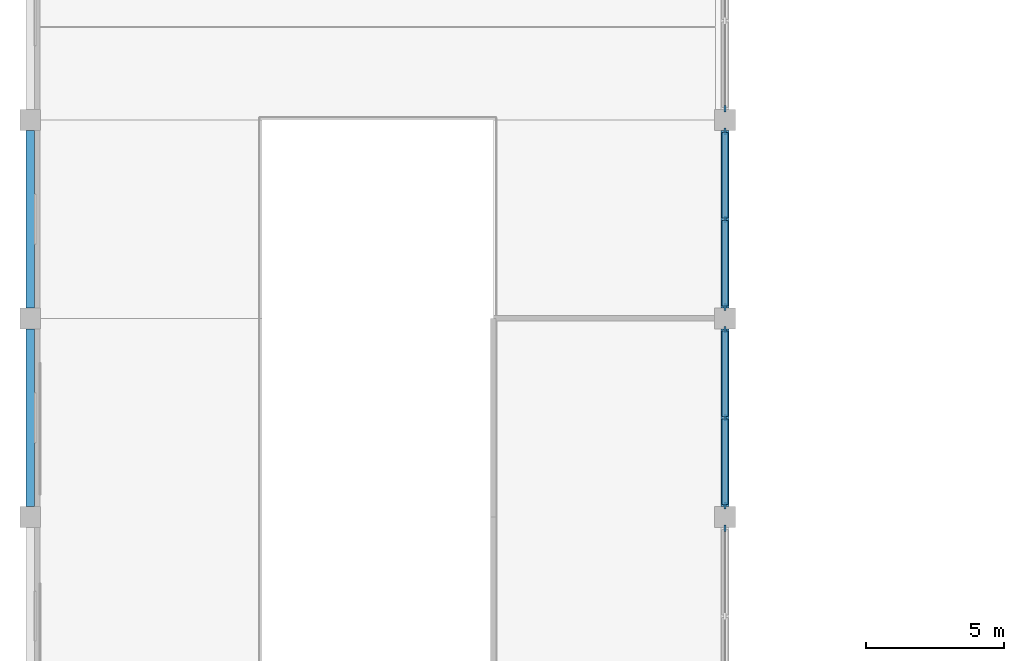
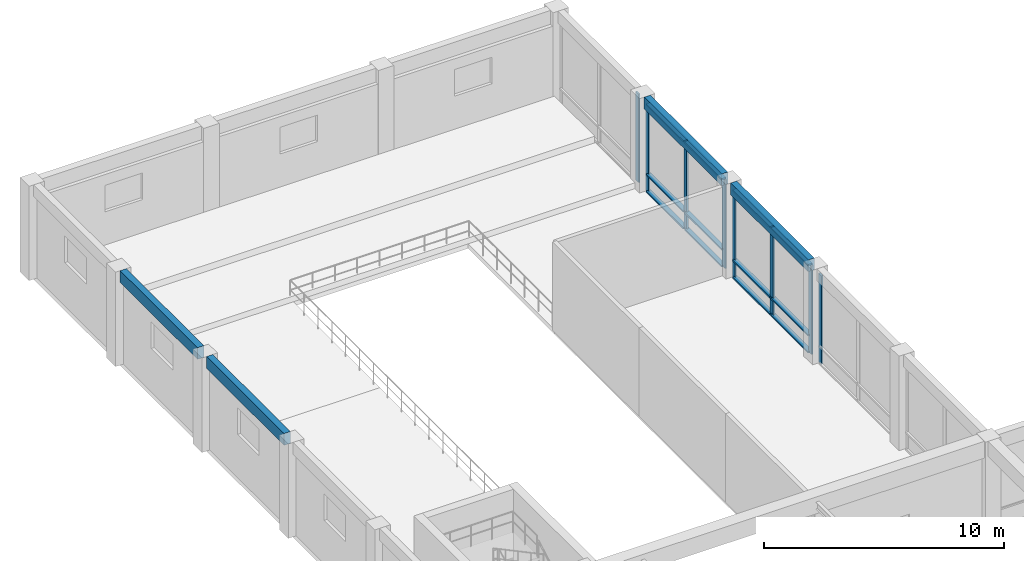
# One storey, part 8 of 52: 20 members, 4 beams, 4 elements without a shape of their own.
"""IFC4 building model written with IfcOpenShell, lengths in metres."""

from ifc_helpers import new_model, si_unit, direction, frame, origin, origin_2d, place, context, subcontext, project, spatial, rectangle, extrude, material, material_profile, profile_set, type_object, element, aggregate, save


model = new_model("IFC4")

# Units and contexts
model_context = context("Model", 3, precision=1e-05, world=origin(), true_north=direction((0.0, 1.0)))
body_context = subcontext(model_context, "Body", "Model", "MODEL_VIEW")
ifc_project = project(units=[si_unit("LENGTHUNIT", "METRE"), si_unit("AREAUNIT", "SQUARE_METRE"), si_unit("VOLUMEUNIT", "CUBIC_METRE"), si_unit("PLANEANGLEUNIT", "RADIAN"), si_unit("MASSUNIT", "GRAM", prefix="KILO")], contexts=[model_context])

# Site, building, storey
site_placement = place(None, origin())
site = spatial("IfcSite", under=ifc_project, at=site_placement, CompositionType="ELEMENT")
building_placement = place(site_placement, origin())
building = spatial("IfcBuilding", under=site, at=building_placement, Name="Kenerak Square Central Library", CompositionType="ELEMENT")
storey_placement = place(building_placement, frame((0.0, 0.0, 4.800048828125)))
storey = spatial("IfcBuildingStorey", under=building, at=storey_placement, Name="L01", CompositionType="ELEMENT", Elevation=4.800048828125)

# Beams
ifc_material_1 = material(Name="Concrete C40/50", Category="concrete")
ifc_material_profile_1 = material_profile(ifc_material_1, rectangle(XDim=0.300048828125, YDim=0.60009765625, at=origin_2d()), Name="RC 300x600")
ifc_profile_set_1 = profile_set([ifc_material_profile_1], Name="Concrete C40/50")
beam_type = type_object("IfcBeamType", Name="Courtyard Spandrel Beam SP-02 RC 300x600 C40/50", PredefinedType="SPANDREL", material=ifc_profile_set_1)
for number, where, z_axis, x_axis, name in (
    (1, (8.0, 53.175048828125, 4.5), (0.0, 1.0, 0.0), (-1.0, 0.0, 0.0), "Beam SP-02 L01 0985"),
    (2, (8.0, 60.375, 4.5), (0.0, 1.0, 0.0), (-1.0, 0.0, 0.0), "Beam SP-02 L01 0986"),
    (3, (33.199951171875, 53.175048828125, 4.5), (0.0, 1.0, 0.0), (-1.0, 0.0, 0.0), "Beam SP-02 L01 0993"),
    (4, (33.199951171875, 60.375, 4.5), (0.0, 1.0, 0.0), (-1.0, 0.0, 0.0), "Beam SP-02 L01 0994"),
):
    element("IfcBeam", number, at=place(storey_placement, frame(where, z_axis=z_axis, x_axis=x_axis)), inside=storey, type_object=beam_type, Name=name, PredefinedType="SPANDREL", context=body_context, shape_type="SweptSolid", body=[
        extrude(rectangle(XDim=0.300048828125, YDim=0.60009765625, at=origin_2d()), origin(), (0.0, 0.0, 1.0), 6.449951171875),
    ])

# Curtain wall, member
ifc_material_2 = material(Name="Anodised aluminium and solar-control low-E glazing", Category="aluminium")
curtain_wall_type = type_object("IfcCurtainWallType", Name="Curtain Wall CW-V3-64x45 6450x4500", PredefinedType="USERDEFINED", material=ifc_material_2)
curtain_wall_1_placement = place(storey_placement, origin())
curtain_wall_1 = element("IfcCurtainWall", 5, at=curtain_wall_1_placement, inside=storey, type_object=curtain_wall_type, Name="Curtain Wall CW-V3-64x45 L01 0059", ObjectType="CURTAIN WALL", PredefinedType="USERDEFINED")
ifc_material_3 = material(Name="Anodised aluminium 6063-T6", Category="aluminium")
ifc_material_profile_2 = material_profile(ifc_material_3, rectangle(XDim=0.080078125, YDim=0.239990234375, at=origin_2d()), Name="AL MULLION 80x240")
ifc_profile_set_2 = profile_set([ifc_material_profile_2], Name="Anodised aluminium 6063-T6")
member_type_1 = type_object("IfcMemberType", Name="Curtain Mullion CM-04 80x240", PredefinedType="MULLION", material=ifc_profile_set_2)
member_1_placement = place(storey_placement, frame((33.199951171875, 67.614990234375, 0.0), z_axis=(0.0, 0.0, 1.0), x_axis=(1.0, 0.0, 0.0)))
member_1 = element("IfcMember", 6, at=member_1_placement, type_object=member_type_1, Name="CW-V3-64x45 Mullion 3", PredefinedType="MULLION", context=body_context, shape_type="SweptSolid", body=[
    extrude(rectangle(XDim=0.080078125, YDim=0.239990234375, at=origin_2d()), origin(), (0.0, 0.0, 1.0), 4.5),
])
aggregate(curtain_wall_1, [member_1])

# Curtain wall, members
curtain_wall_2_placement = place(storey_placement, origin())
curtain_wall_2 = element("IfcCurtainWall", 7, at=curtain_wall_2_placement, inside=storey, type_object=curtain_wall_type, Name="Curtain Wall CW-V3-64x45 L01 0060", ObjectType="CURTAIN WALL", PredefinedType="USERDEFINED")
member_2_placement = place(storey_placement, frame((33.199951171875, 66.784912109375, 0.0), z_axis=(0.0, 0.0, 1.0), x_axis=(1.0, 0.0, 0.0)))
member_2 = element("IfcMember", 8, at=member_2_placement, type_object=member_type_1, Name="CW-V3-64x45 Mullion 1", PredefinedType="MULLION", context=body_context, shape_type="SweptSolid", body=[
    extrude(rectangle(XDim=0.080078125, YDim=0.239990234375, at=origin_2d()), origin(), (0.0, 0.0, 1.0), 4.5),
])
member_3_placement = place(storey_placement, frame((33.199951171875, 63.60009765625, 0.0), z_axis=(0.0, 0.0, 1.0), x_axis=(1.0, 0.0, 0.0)))
member_3 = element("IfcMember", 9, at=member_3_placement, type_object=member_type_1, Name="CW-V3-64x45 Mullion 2", PredefinedType="MULLION", context=body_context, shape_type="SweptSolid", body=[
    extrude(rectangle(XDim=0.080078125, YDim=0.239990234375, at=origin_2d()), origin(), (0.0, 0.0, 1.0), 4.5),
])
member_4_placement = place(storey_placement, frame((33.199951171875, 60.4150390625, 0.0), z_axis=(0.0, 0.0, 1.0), x_axis=(1.0, 0.0, 0.0)))
member_4 = element("IfcMember", 10, at=member_4_placement, type_object=member_type_1, Name="CW-V3-64x45 Mullion 3", PredefinedType="MULLION", context=body_context, shape_type="SweptSolid", body=[
    extrude(rectangle(XDim=0.080078125, YDim=0.239990234375, at=origin_2d()), origin(), (0.0, 0.0, 1.0), 4.5),
])

curtain_wall_3_placement = place(storey_placement, origin())
curtain_wall_3 = element("IfcCurtainWall", 11, at=curtain_wall_3_placement, inside=storey, type_object=curtain_wall_type, Name="Curtain Wall CW-V3-64x45 L01 0061", ObjectType="CURTAIN WALL", PredefinedType="USERDEFINED")
member_5_placement = place(storey_placement, frame((33.199951171875, 59.5849609375, 0.0), z_axis=(0.0, 0.0, 1.0), x_axis=(1.0, 0.0, 0.0)))
member_5 = element("IfcMember", 12, at=member_5_placement, type_object=member_type_1, Name="CW-V3-64x45 Mullion 1", PredefinedType="MULLION", context=body_context, shape_type="SweptSolid", body=[
    extrude(rectangle(XDim=0.080078125, YDim=0.239990234375, at=origin_2d()), origin(), (0.0, 0.0, 1.0), 4.5),
])
member_6_placement = place(storey_placement, frame((33.199951171875, 56.39990234375, 0.0), z_axis=(0.0, 0.0, 1.0), x_axis=(1.0, 0.0, 0.0)))
member_6 = element("IfcMember", 13, at=member_6_placement, type_object=member_type_1, Name="CW-V3-64x45 Mullion 2", PredefinedType="MULLION", context=body_context, shape_type="SweptSolid", body=[
    extrude(rectangle(XDim=0.080078125, YDim=0.239990234375, at=origin_2d()), origin(), (0.0, 0.0, 1.0), 4.5),
])
member_7_placement = place(storey_placement, frame((33.199951171875, 53.215087890625, 0.0), z_axis=(0.0, 0.0, 1.0), x_axis=(1.0, 0.0, 0.0)))
member_7 = element("IfcMember", 14, at=member_7_placement, type_object=member_type_1, Name="CW-V3-64x45 Mullion 3", PredefinedType="MULLION", context=body_context, shape_type="SweptSolid", body=[
    extrude(rectangle(XDim=0.080078125, YDim=0.239990234375, at=origin_2d()), origin(), (0.0, 0.0, 1.0), 4.5),
])

# Curtain wall, member
curtain_wall_4_placement = place(storey_placement, origin())
curtain_wall_4 = element("IfcCurtainWall", 15, at=curtain_wall_4_placement, inside=storey, type_object=curtain_wall_type, Name="Curtain Wall CW-V3-64x45 L01 0062", ObjectType="CURTAIN WALL", PredefinedType="USERDEFINED")
member_8_placement = place(storey_placement, frame((33.199951171875, 52.385009765625, 0.0), z_axis=(0.0, 0.0, 1.0), x_axis=(1.0, 0.0, 0.0)))
member_8 = element("IfcMember", 16, at=member_8_placement, type_object=member_type_1, Name="CW-V3-64x45 Mullion 1", PredefinedType="MULLION", context=body_context, shape_type="SweptSolid", body=[
    extrude(rectangle(XDim=0.080078125, YDim=0.239990234375, at=origin_2d()), origin(), (0.0, 0.0, 1.0), 4.5),
])
aggregate(curtain_wall_4, [member_8])

# Member
ifc_material_profile_3 = material_profile(ifc_material_3, rectangle(XDim=0.219970703125, YDim=0.080078125, at=origin_2d()), Name="AL TRANSOM 220x80")
ifc_profile_set_3 = profile_set([ifc_material_profile_3], Name="Anodised aluminium 6063-T6")
member_type_2 = type_object("IfcMemberType", Name="Curtain Transom CT-14 220x80", PredefinedType="USERDEFINED", material=ifc_profile_set_3)
member_9_placement = place(storey_placement, frame((33.199951171875, 66.7451171875, 0.0400390625), z_axis=(0.0, -1.0, 0.0), x_axis=(1.0, 0.0, 0.0)))
member_9 = element("IfcMember", 17, at=member_9_placement, type_object=member_type_2, Name="CW-V3-64x45 Transom 1.1", ObjectType="TRANSOM", PredefinedType="USERDEFINED", context=body_context, shape_type="SweptSolid", body=[
    extrude(rectangle(XDim=0.219970703125, YDim=0.080078125, at=origin_2d()), origin(), (0.0, 0.0, 1.0), 3.105224609375),
])

member_10_placement = place(storey_placement, frame((33.199951171875, 66.7451171875, 0.89990234375), z_axis=(0.0, -1.0, 0.0), x_axis=(1.0, 0.0, 0.0)))
member_10 = element("IfcMember", 18, at=member_10_placement, type_object=member_type_2, Name="CW-V3-64x45 Transom 1.2", ObjectType="TRANSOM", PredefinedType="USERDEFINED", context=body_context, shape_type="SweptSolid", body=[
    extrude(rectangle(XDim=0.219970703125, YDim=0.080078125, at=origin_2d()), origin(), (0.0, 0.0, 1.0), 3.105224609375),
])

member_11_placement = place(storey_placement, frame((33.199951171875, 66.7451171875, 4.4599609375), z_axis=(0.0, -1.0, 0.0), x_axis=(1.0, 0.0, 0.0)))
member_11 = element("IfcMember", 19, at=member_11_placement, type_object=member_type_2, Name="CW-V3-64x45 Transom 1.3", ObjectType="TRANSOM", PredefinedType="USERDEFINED", context=body_context, shape_type="SweptSolid", body=[
    extrude(rectangle(XDim=0.219970703125, YDim=0.080078125, at=origin_2d()), origin(), (0.0, 0.0, 1.0), 3.105224609375),
])

member_12_placement = place(storey_placement, frame((33.199951171875, 63.56005859375, 0.0400390625), z_axis=(0.0, -1.0, 0.0), x_axis=(1.0, 0.0, 0.0)))
member_12 = element("IfcMember", 20, at=member_12_placement, type_object=member_type_2, Name="CW-V3-64x45 Transom 2.1", ObjectType="TRANSOM", PredefinedType="USERDEFINED", context=body_context, shape_type="SweptSolid", body=[
    extrude(rectangle(XDim=0.219970703125, YDim=0.080078125, at=origin_2d()), origin(), (0.0, 0.0, 1.0), 3.10498046875),
])

member_13_placement = place(storey_placement, frame((33.199951171875, 63.56005859375, 0.89990234375), z_axis=(0.0, -1.0, 0.0), x_axis=(1.0, 0.0, 0.0)))
member_13 = element("IfcMember", 21, at=member_13_placement, type_object=member_type_2, Name="CW-V3-64x45 Transom 2.2", ObjectType="TRANSOM", PredefinedType="USERDEFINED", context=body_context, shape_type="SweptSolid", body=[
    extrude(rectangle(XDim=0.219970703125, YDim=0.080078125, at=origin_2d()), origin(), (0.0, 0.0, 1.0), 3.10498046875),
])

member_14_placement = place(storey_placement, frame((33.199951171875, 63.56005859375, 4.4599609375), z_axis=(0.0, -1.0, 0.0), x_axis=(1.0, 0.0, 0.0)))
member_14 = element("IfcMember", 22, at=member_14_placement, type_object=member_type_2, Name="CW-V3-64x45 Transom 2.3", ObjectType="TRANSOM", PredefinedType="USERDEFINED", context=body_context, shape_type="SweptSolid", body=[
    extrude(rectangle(XDim=0.219970703125, YDim=0.080078125, at=origin_2d()), origin(), (0.0, 0.0, 1.0), 3.10498046875),
])

aggregate(curtain_wall_2, [member_2, member_3, member_4, member_9, member_10, member_11, member_12, member_13, member_14])

member_15_placement = place(storey_placement, frame((33.199951171875, 59.544921875, 0.0400390625), z_axis=(0.0, -1.0, 0.0), x_axis=(1.0, 0.0, 0.0)))
member_15 = element("IfcMember", 23, at=member_15_placement, type_object=member_type_2, Name="CW-V3-64x45 Transom 1.1", ObjectType="TRANSOM", PredefinedType="USERDEFINED", context=body_context, shape_type="SweptSolid", body=[
    extrude(rectangle(XDim=0.219970703125, YDim=0.080078125, at=origin_2d()), origin(), (0.0, 0.0, 1.0), 3.10498046875),
])

member_16_placement = place(storey_placement, frame((33.199951171875, 59.544921875, 0.89990234375), z_axis=(0.0, -1.0, 0.0), x_axis=(1.0, 0.0, 0.0)))
member_16 = element("IfcMember", 24, at=member_16_placement, type_object=member_type_2, Name="CW-V3-64x45 Transom 1.2", ObjectType="TRANSOM", PredefinedType="USERDEFINED", context=body_context, shape_type="SweptSolid", body=[
    extrude(rectangle(XDim=0.219970703125, YDim=0.080078125, at=origin_2d()), origin(), (0.0, 0.0, 1.0), 3.10498046875),
])

member_17_placement = place(storey_placement, frame((33.199951171875, 59.544921875, 4.4599609375), z_axis=(0.0, -1.0, 0.0), x_axis=(1.0, 0.0, 0.0)))
member_17 = element("IfcMember", 25, at=member_17_placement, type_object=member_type_2, Name="CW-V3-64x45 Transom 1.3", ObjectType="TRANSOM", PredefinedType="USERDEFINED", context=body_context, shape_type="SweptSolid", body=[
    extrude(rectangle(XDim=0.219970703125, YDim=0.080078125, at=origin_2d()), origin(), (0.0, 0.0, 1.0), 3.10498046875),
])

member_18_placement = place(storey_placement, frame((33.199951171875, 56.360107421875, 0.0400390625), z_axis=(0.0, -1.0, 0.0), x_axis=(1.0, 0.0, 0.0)))
member_18 = element("IfcMember", 26, at=member_18_placement, type_object=member_type_2, Name="CW-V3-64x45 Transom 2.1", ObjectType="TRANSOM", PredefinedType="USERDEFINED", context=body_context, shape_type="SweptSolid", body=[
    extrude(rectangle(XDim=0.219970703125, YDim=0.080078125, at=origin_2d()), origin(), (0.0, 0.0, 1.0), 3.105224609375),
])

member_19_placement = place(storey_placement, frame((33.199951171875, 56.360107421875, 0.89990234375), z_axis=(0.0, -1.0, 0.0), x_axis=(1.0, 0.0, 0.0)))
member_19 = element("IfcMember", 27, at=member_19_placement, type_object=member_type_2, Name="CW-V3-64x45 Transom 2.2", ObjectType="TRANSOM", PredefinedType="USERDEFINED", context=body_context, shape_type="SweptSolid", body=[
    extrude(rectangle(XDim=0.219970703125, YDim=0.080078125, at=origin_2d()), origin(), (0.0, 0.0, 1.0), 3.105224609375),
])

member_20_placement = place(storey_placement, frame((33.199951171875, 56.360107421875, 4.4599609375), z_axis=(0.0, -1.0, 0.0), x_axis=(1.0, 0.0, 0.0)))
member_20 = element("IfcMember", 28, at=member_20_placement, type_object=member_type_2, Name="CW-V3-64x45 Transom 2.3", ObjectType="TRANSOM", PredefinedType="USERDEFINED", context=body_context, shape_type="SweptSolid", body=[
    extrude(rectangle(XDim=0.219970703125, YDim=0.080078125, at=origin_2d()), origin(), (0.0, 0.0, 1.0), 3.105224609375),
])

aggregate(curtain_wall_3, [member_5, member_6, member_7, member_15, member_16, member_17, member_18, member_19, member_20])

save(model, "model.ifc")
